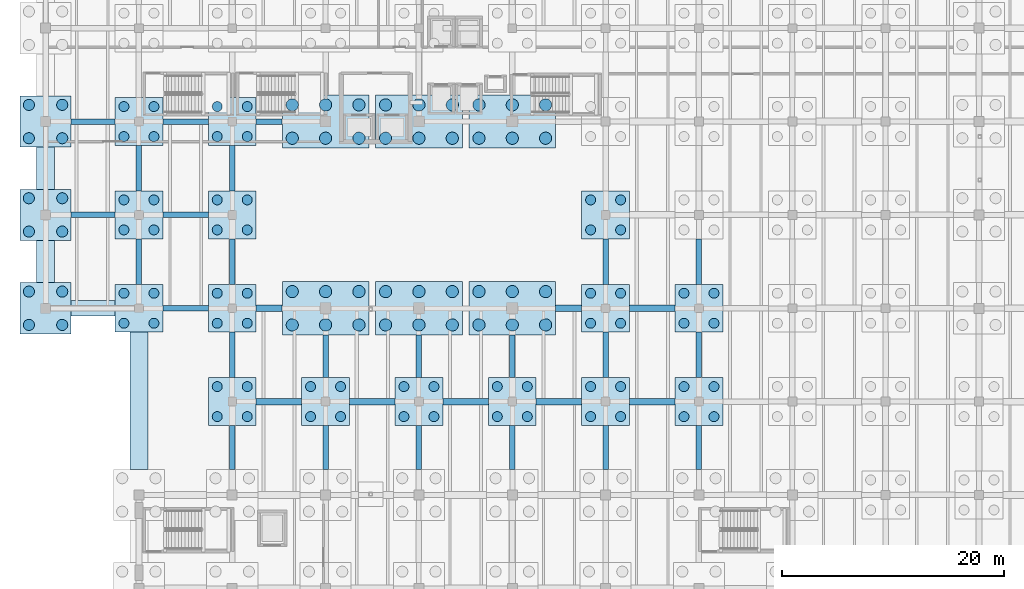
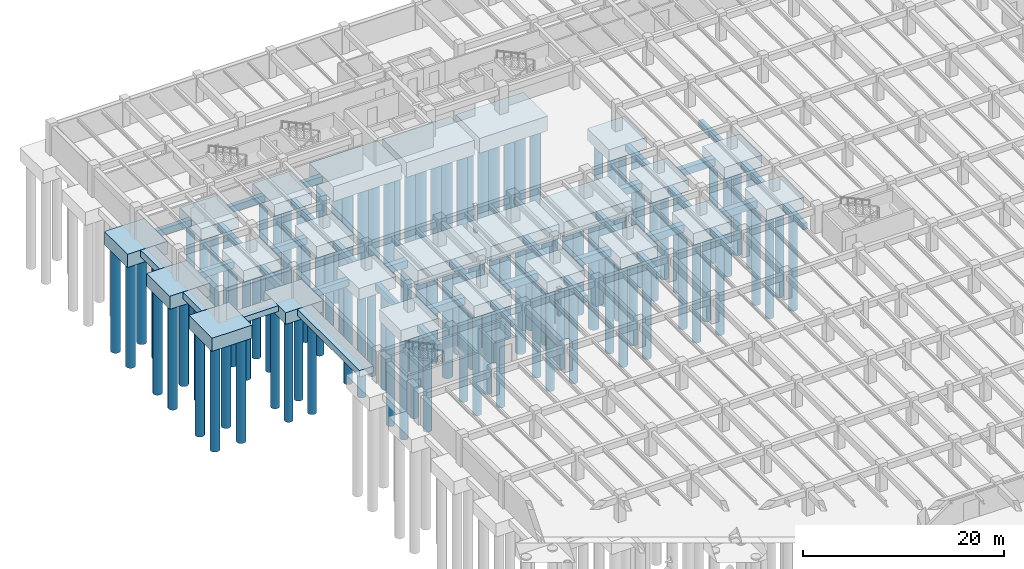
# One storey, part 6 of 70: 108 piles, 60 footings.
"""IFC4 building model written with IfcOpenShell, lengths in metres."""

import ifcopenshell
import ifcopenshell.guid

model = None  # the IFC model being written
_history = None  # IfcOwnerHistory: only IFC2X3 demands one
_inside = {}  # id of a spatial element -> (the spatial element, [elements in it])
_under = {}  # id of a project, library or spatial element -> (it, [spatial elements below it])
_declared = {}  # id of a project -> (the project, [libraries it declares])
_typed = {}  # id of a type object -> (the type object, [elements of that type])
_made_of = {}  # id of a material, layer set ... -> (it, [elements and type objects made of it])


def new_model(schema):
    """Start an empty IFC model of exactly this schema.

    Asked for "IFC4X3", IfcOpenShell would pick the latest addendum, in which some entities
    have other attributes; the version numbers below select the first issue.
    IFC2X3 requires an IfcOwnerHistory on every rooted entity: one is made here for all.
    """
    global model, _history
    if schema == "IFC4X3":
        model = ifcopenshell.file(schema_version=(4, 3, 0, 0))
    else:
        model = ifcopenshell.file(schema=schema)
    _inside.clear()
    _under.clear()
    _declared.clear()
    _typed.clear()
    _made_of.clear()
    _history = None
    if model.schema == "IFC2X3":
        org = make("IfcOrganization", Name="unknown")
        user = make(
            "IfcPersonAndOrganization",
            ThePerson=make("IfcPerson", FamilyName="unknown"),
            TheOrganization=org,
        )
        app = make(
            "IfcApplication",
            ApplicationDeveloper=org,
            Version="unknown",
            ApplicationFullName="unknown",
            ApplicationIdentifier="unknown",
        )
        _history = make(
            "IfcOwnerHistory",
            OwningUser=user,
            OwningApplication=app,
            ChangeAction="ADDED",
            CreationDate=0,
        )
    return model


def make(cls, **values):
    """One entity of the class cls with the attributes given. An attribute that is None is left unset."""
    return model.create_entity(
        cls, **{name: value for name, value in values.items() if value is not None}
    )


def rooted(cls, **values):
    """An entity with a GlobalId (a new one), such as an element, a storey or a relation."""
    return make(cls, GlobalId=ifcopenshell.guid.new(), OwnerHistory=_history, **values)


def si_unit(unit_type, name, prefix=None):
    """IfcSIUnit, for example si_unit("LENGTHUNIT", "METRE", prefix="MILLI")."""
    return make("IfcSIUnit", UnitType=unit_type, Prefix=prefix, Name=name)


def assignment(units):
    """IfcUnitAssignment: the units of a project."""
    return None if units is None else make("IfcUnitAssignment", Units=units)


def point(xyz):
    """IfcCartesianPoint."""
    return None if xyz is None else make("IfcCartesianPoint", Coordinates=xyz)


def direction(xyz):
    """IfcDirection."""
    return None if xyz is None else make("IfcDirection", DirectionRatios=xyz)


def frame(location, z_axis=None, x_axis=None):
    """IfcAxis2Placement3D, a coordinate frame: its origin and axes. An axis left out is left unset."""
    return make(
        "IfcAxis2Placement3D",
        Location=point(location),
        Axis=direction(z_axis),
        RefDirection=direction(x_axis),
    )


def frame_2d(location, x_axis=None):
    """IfcAxis2Placement2D, a coordinate frame in the plane: its origin and x axis."""
    return make(
        "IfcAxis2Placement2D", Location=point(location), RefDirection=direction(x_axis)
    )


def origin():
    """The frame at (0, 0, 0) with its axes left unset."""
    return frame((0.0, 0.0, 0.0))


def origin_2d():
    """The frame at (0, 0) in the plane with its x axis left unset."""
    return frame_2d((0.0, 0.0))


def place(relative_to, where):
    """IfcLocalPlacement: puts the frame where relative to a parent placement (None: the world)."""
    return make(
        "IfcLocalPlacement", PlacementRelTo=relative_to, RelativePlacement=where
    )


def context(
    kind, dimensions, precision=None, world=None, true_north=None, identifier=None
):
    """IfcGeometricRepresentationContext, for example the 3D "Model" context."""
    return make(
        "IfcGeometricRepresentationContext",
        ContextIdentifier=identifier,
        ContextType=kind,
        CoordinateSpaceDimension=dimensions,
        Precision=precision,
        WorldCoordinateSystem=world,
        TrueNorth=true_north,
    )


def subcontext(parent, identifier, kind, view, scale=None):
    """IfcGeometricRepresentationSubContext, for example "Body" below "Model"."""
    return make(
        "IfcGeometricRepresentationSubContext",
        ContextIdentifier=identifier,
        ContextType=kind,
        ParentContext=parent,
        TargetScale=scale,
        TargetView=view,
    )


def project(units=None, contexts=None):
    """IfcProject with its units and contexts."""
    return rooted(
        "IfcProject",
        Name="project",
        RepresentationContexts=contexts,
        UnitsInContext=assignment(units),
    )


def spatial(cls, under=None, at=None, **own):
    """A site, building, storey or space (cls), placed at a placement, below another one or the project."""
    s = rooted(cls, ObjectPlacement=at, **own)
    if under is not None:
        _under.setdefault(under.id(), (under, []))[1].append(s)
    return s


def profile(cls, at=None, kind="AREA", **sizes):
    """A parametric profile (cls). Its sizes go by their IFC names, for example OverallWidth=200.0."""
    return make(cls, ProfileType=kind, Position=at, **sizes)


def rectangle(**sizes):
    """IfcRectangleProfileDef."""
    return profile("IfcRectangleProfileDef", **sizes)


def circle(**sizes):
    """IfcCircleProfileDef."""
    return profile("IfcCircleProfileDef", **sizes)


def extrude(swept, where, along, depth):
    """IfcExtrudedAreaSolid: the profile swept, set in the frame where, extruded along a direction by depth."""
    return make(
        "IfcExtrudedAreaSolid",
        SweptArea=swept,
        Position=where,
        ExtrudedDirection=direction(along),
        Depth=depth,
    )


def shape(context_of_items, identifier, shape_type, items):
    """IfcShapeRepresentation: the items that make up one representation, for example the "Body"."""
    return make(
        "IfcShapeRepresentation",
        ContextOfItems=context_of_items,
        RepresentationIdentifier=identifier,
        RepresentationType=shape_type,
        Items=items,
    )


def material(Name=None, Category=None):
    """IfcMaterial."""
    return make("IfcMaterial", Name=Name, Category=Category)


def material_profile(
    of_material, cross_section, Name=None, Category=None, Priority=None
):
    """IfcMaterialProfile: a cross section and its material."""
    return make(
        "IfcMaterialProfile",
        Name=Name,
        Material=of_material,
        Profile=cross_section,
        Priority=Priority,
        Category=Category,
    )


def profile_set(profiles, Name=None, composite=None):
    """IfcMaterialProfileSet."""
    return make(
        "IfcMaterialProfileSet",
        Name=Name,
        MaterialProfiles=profiles,
        CompositeProfile=composite,
    )


def made_of(thing, what):
    """Note that an element or type object is made of a material, layer set ...; save() writes the relation."""
    if what is not None:
        _made_of.setdefault(what.id(), (what, []))[1].append(thing)
    return thing


def type_object(cls, material=None, **own):
    """A type object (cls), such as IfcWallType, which elements share."""
    return made_of(rooted(cls, **own), material)


def element(
    cls,
    number,
    at=None,
    inside=None,
    cuts=None,
    type_object=None,
    material=None,
    context=None,
    identifier="Body",
    shape_type=None,
    held_by="IfcProductDefinitionShape",
    body=None,
    shapes=None,
    **own,
):
    """One element of the class cls, such as IfcWall. Its Tag is "e" and its number.

    at: its placement. inside: the storey or other place that contains it. cuts: it is an
    opening in that element (IfcRelVoidsElement). A single representation is given by context,
    identifier, shape_type and body (its items); several are given by shapes. held_by: the class
    of the entity that holds the representations. save() writes the other relations.
    """
    e = rooted(cls, Tag="e%d" % number, ObjectPlacement=at, **own)
    if body is not None:
        shapes = [shape(context, identifier, shape_type, body)]
    if shapes is not None:
        e.Representation = make(held_by, Representations=shapes)
    if inside is not None:
        _inside.setdefault(inside.id(), (inside, []))[1].append(e)
    if cuts is not None:
        rooted(
            "IfcRelVoidsElement", RelatingBuildingElement=cuts, RelatedOpeningElement=e
        )
    if type_object is not None:
        _typed.setdefault(type_object.id(), (type_object, []))[1].append(e)
    return made_of(e, material)


def aggregate(whole, parts):
    """IfcRelAggregates: a whole, such as a stair, and the parts it consists of."""
    return rooted("IfcRelAggregates", RelatingObject=whole, RelatedObjects=parts)


def save(model, path):
    """Write the relations noted so far, then the file.

    IfcRelAggregates (storeys below a building ...), IfcRelContainedInSpatialStructure (elements
    in a storey), IfcRelDefinesByType, IfcRelAssociatesMaterial and IfcRelDeclares: one each for
    every whole, place, type object, material and project.
    """
    for whole, parts in _under.values():
        aggregate(whole, parts)
    for where, things in _inside.values():
        rooted(
            "IfcRelContainedInSpatialStructure",
            RelatedElements=things,
            RelatingStructure=where,
        )
    for kind, things in _typed.values():
        rooted("IfcRelDefinesByType", RelatedObjects=things, RelatingType=kind)
    for what, things in _made_of.values():
        rooted("IfcRelAssociatesMaterial", RelatedObjects=things, RelatingMaterial=what)
    for by, libraries in _declared.values():
        rooted("IfcRelDeclares", RelatingContext=by, RelatedDefinitions=libraries)
    model.write(path)


model = new_model("IFC4")

# Units and contexts
model_context = context("Model", 3, precision=1e-05, world=origin(), true_north=direction((0.0, 1.0)))
body_context = subcontext(model_context, "Body", "Model", "MODEL_VIEW")
ifc_project = project(units=[si_unit("LENGTHUNIT", "METRE"), si_unit("AREAUNIT", "SQUARE_METRE"), si_unit("VOLUMEUNIT", "CUBIC_METRE"), si_unit("PLANEANGLEUNIT", "RADIAN"), si_unit("MASSUNIT", "GRAM", prefix="KILO")], contexts=[model_context])

# Site, building, storey
site_placement = place(None, origin())
site = spatial("IfcSite", under=ifc_project, at=site_placement, CompositionType="ELEMENT")
building_placement = place(site_placement, origin())
building = spatial("IfcBuilding", under=site, at=building_placement, Name="Cumbredor Promenade Congress Hotel", CompositionType="ELEMENT")
storey_placement = place(building_placement, frame((0.0, 0.0, -7.56005859375)))
storey = spatial("IfcBuildingStorey", under=building, at=storey_placement, Name="B02", CompositionType="ELEMENT", Elevation=-7.56005859375)

# Piles
ifc_material = material(Name="Concrete C40/50", Category="concrete")
ifc_material_profile_1 = material_profile(ifc_material, circle(Radius=0.449951171875, at=origin_2d()), Name="PILE D900")
ifc_profile_set_1 = profile_set([ifc_material_profile_1], Name="Concrete C40/50")
pile_type_1 = type_object("IfcPileType", Name="Bored Concrete Pile BP-02 900mm", PredefinedType="BORED", material=ifc_profile_set_1)
for number, where, z_axis, x_axis, name in (
    (1, (7.050048828125, 82.64990234375, -1.75), (0.0, 0.0, -1.0), (1.0, 0.0, 0.0), "Bored Pile PC-02-014.1"),
    (2, (9.75, 82.64990234375, -1.75), (0.0, 0.0, -1.0), (1.0, 0.0, 0.0), "Bored Pile PC-02-014.2"),
    (3, (7.050048828125, 85.35009765625, -1.75), (0.0, 0.0, -1.0), (1.0, 0.0, 0.0), "Bored Pile PC-02-014.3"),
    (4, (9.75, 85.35009765625, -1.75), (0.0, 0.0, -1.0), (1.0, 0.0, 0.0), "Bored Pile PC-02-014.4"),
    (5, (7.050048828125, 91.050048828125, -1.75), (0.0, 0.0, -1.0), (1.0, 0.0, 0.0), "Bored Pile PC-02-015.1"),
    (6, (9.75, 91.050048828125, -1.75), (0.0, 0.0, -1.0), (1.0, 0.0, 0.0), "Bored Pile PC-02-015.2"),
    (7, (7.050048828125, 93.75, -1.75), (0.0, 0.0, -1.0), (1.0, 0.0, 0.0), "Bored Pile PC-02-015.3"),
    (8, (9.75, 93.75, -1.75), (0.0, 0.0, -1.0), (1.0, 0.0, 0.0), "Bored Pile PC-02-015.4"),
    (9, (7.050048828125, 99.449951171875, -1.75), (0.0, 0.0, -1.0), (1.0, 0.0, 0.0), "Bored Pile PC-02-016.1"),
    (10, (9.75, 99.449951171875, -1.75), (0.0, 0.0, -1.0), (1.0, 0.0, 0.0), "Bored Pile PC-02-016.2"),
    (11, (7.050048828125, 102.14990234375, -1.75), (0.0, 0.0, -1.0), (1.0, 0.0, 0.0), "Bored Pile PC-02-016.3"),
    (12, (9.75, 102.14990234375, -1.75), (0.0, 0.0, -1.0), (1.0, 0.0, 0.0), "Bored Pile PC-02-016.4"),
    (13, (15.449951171875, 74.25, -1.75), (0.0, 0.0, -1.0), (1.0, 0.0, 0.0), "Bored Pile PC-02-027.1"),
    (14, (18.14990234375, 74.25, -1.75), (0.0, 0.0, -1.0), (1.0, 0.0, 0.0), "Bored Pile PC-02-027.2"),
    (15, (15.449951171875, 76.949951171875, -1.75), (0.0, 0.0, -1.0), (1.0, 0.0, 0.0), "Bored Pile PC-02-027.3"),
    (16, (18.14990234375, 76.949951171875, -1.75), (0.0, 0.0, -1.0), (1.0, 0.0, 0.0), "Bored Pile PC-02-027.4"),
    (17, (15.449951171875, 82.64990234375, -1.75), (0.0, 0.0, -1.0), (1.0, 0.0, 0.0), "Bored Pile PC-02-028.1"),
    (18, (18.14990234375, 82.64990234375, -1.75), (0.0, 0.0, -1.0), (1.0, 0.0, 0.0), "Bored Pile PC-02-028.2"),
    (19, (15.449951171875, 85.35009765625, -1.75), (0.0, 0.0, -1.0), (1.0, 0.0, 0.0), "Bored Pile PC-02-028.3"),
    (20, (18.14990234375, 85.35009765625, -1.75), (0.0, 0.0, -1.0), (1.0, 0.0, 0.0), "Bored Pile PC-02-028.4"),
    (21, (15.449951171875, 91.050048828125, -1.75), (0.0, 0.0, -1.0), (1.0, 0.0, 0.0), "Bored Pile PC-02-029.1"),
    (22, (18.14990234375, 91.050048828125, -1.75), (0.0, 0.0, -1.0), (1.0, 0.0, 0.0), "Bored Pile PC-02-029.2"),
    (23, (15.449951171875, 93.75, -1.75), (0.0, 0.0, -1.0), (1.0, 0.0, 0.0), "Bored Pile PC-02-029.3"),
    (24, (18.14990234375, 93.75, -1.75), (0.0, 0.0, -1.0), (1.0, 0.0, 0.0), "Bored Pile PC-02-029.4"),
    (25, (15.449951171875, 99.449951171875, -1.75), (0.0, 0.0, -1.0), (1.0, 0.0, 0.0), "Bored Pile PC-02-030.1"),
    (26, (18.14990234375, 99.449951171875, -1.75), (0.0, 0.0, -1.0), (1.0, 0.0, 0.0), "Bored Pile PC-02-030.2"),
    (27, (15.449951171875, 102.14990234375, -1.75), (0.0, 0.0, -1.0), (1.0, 0.0, 0.0), "Bored Pile PC-02-030.3"),
    (28, (18.14990234375, 102.14990234375, -1.75), (0.0, 0.0, -1.0), (1.0, 0.0, 0.0), "Bored Pile PC-02-030.4"),
    (29, (23.85009765625, 74.25, -1.75), (0.0, 0.0, -1.0), (1.0, 0.0, 0.0), "Bored Pile PC-02-041.1"),
    (30, (26.550048828125, 74.25, -1.75), (0.0, 0.0, -1.0), (1.0, 0.0, 0.0), "Bored Pile PC-02-041.2"),
    (31, (23.85009765625, 76.949951171875, -1.75), (0.0, 0.0, -1.0), (1.0, 0.0, 0.0), "Bored Pile PC-02-041.3"),
    (32, (26.550048828125, 76.949951171875, -1.75), (0.0, 0.0, -1.0), (1.0, 0.0, 0.0), "Bored Pile PC-02-041.4"),
    (33, (32.25, 74.25, -1.75), (0.0, 0.0, -1.0), (1.0, 0.0, 0.0), "Bored Pile PC-02-054.1"),
    (34, (34.949951171875, 74.25, -1.75), (0.0, 0.0, -1.0), (1.0, 0.0, 0.0), "Bored Pile PC-02-054.2"),
    (35, (32.25, 76.949951171875, -1.75), (0.0, 0.0, -1.0), (1.0, 0.0, 0.0), "Bored Pile PC-02-054.3"),
    (36, (34.949951171875, 76.949951171875, -1.75), (0.0, 0.0, -1.0), (1.0, 0.0, 0.0), "Bored Pile PC-02-054.4"),
    (37, (40.64990234375, 74.25, -1.75), (0.0, 0.0, -1.0), (1.0, 0.0, 0.0), "Bored Pile PC-02-067.1"),
    (38, (43.35009765625, 74.25, -1.75), (0.0, 0.0, -1.0), (1.0, 0.0, 0.0), "Bored Pile PC-02-067.2"),
    (39, (40.64990234375, 76.949951171875, -1.75), (0.0, 0.0, -1.0), (1.0, 0.0, 0.0), "Bored Pile PC-02-067.3"),
    (40, (43.35009765625, 76.949951171875, -1.75), (0.0, 0.0, -1.0), (1.0, 0.0, 0.0), "Bored Pile PC-02-067.4"),
    (41, (49.050048828125, 74.25, -1.75), (0.0, 0.0, -1.0), (1.0, 0.0, 0.0), "Bored Pile PC-02-080.1"),
    (42, (51.75, 74.25, -1.75), (0.0, 0.0, -1.0), (1.0, 0.0, 0.0), "Bored Pile PC-02-080.2"),
    (43, (49.050048828125, 76.949951171875, -1.75), (0.0, 0.0, -1.0), (1.0, 0.0, 0.0), "Bored Pile PC-02-080.3"),
    (44, (51.75, 76.949951171875, -1.75), (0.0, 0.0, -1.0), (1.0, 0.0, 0.0), "Bored Pile PC-02-080.4"),
    (45, (49.050048828125, 82.64990234375, -1.75), (0.0, 0.0, -1.0), (1.0, 0.0, 0.0), "Bored Pile PC-02-081.1"),
    (46, (51.75, 82.64990234375, -1.75), (0.0, 0.0, -1.0), (1.0, 0.0, 0.0), "Bored Pile PC-02-081.2"),
    (47, (49.050048828125, 85.35009765625, -1.75), (0.0, 0.0, -1.0), (1.0, 0.0, 0.0), "Bored Pile PC-02-081.3"),
    (48, (51.75, 85.35009765625, -1.75), (0.0, 0.0, -1.0), (1.0, 0.0, 0.0), "Bored Pile PC-02-081.4"),
    (49, (49.050048828125, 91.050048828125, -1.75), (0.0, 0.0, -1.0), (1.0, 0.0, 0.0), "Bored Pile PC-02-082.1"),
    (50, (51.75, 91.050048828125, -1.75), (0.0, 0.0, -1.0), (1.0, 0.0, 0.0), "Bored Pile PC-02-082.2"),
    (51, (49.050048828125, 93.75, -1.75), (0.0, 0.0, -1.0), (1.0, 0.0, 0.0), "Bored Pile PC-02-082.3"),
    (52, (51.75, 93.75, -1.75), (0.0, 0.0, -1.0), (1.0, 0.0, 0.0), "Bored Pile PC-02-082.4"),
    (53, (57.449951171875, 74.25, -1.75), (0.0, 0.0, -1.0), (1.0, 0.0, 0.0), "Bored Pile PC-02-094.1"),
    (54, (60.14990234375, 74.25, -1.75), (0.0, 0.0, -1.0), (1.0, 0.0, 0.0), "Bored Pile PC-02-094.2"),
    (55, (57.449951171875, 76.949951171875, -1.75), (0.0, 0.0, -1.0), (1.0, 0.0, 0.0), "Bored Pile PC-02-094.3"),
    (56, (60.14990234375, 76.949951171875, -1.75), (0.0, 0.0, -1.0), (1.0, 0.0, 0.0), "Bored Pile PC-02-094.4"),
    (57, (57.449951171875, 82.64990234375, -1.75), (0.0, 0.0, -1.0), (1.0, 0.0, 0.0), "Bored Pile PC-02-095.1"),
    (58, (60.14990234375, 82.64990234375, -1.75), (0.0, 0.0, -1.0), (1.0, 0.0, 0.0), "Bored Pile PC-02-095.2"),
    (59, (57.449951171875, 85.35009765625, -1.75), (0.0, 0.0, -1.0), (1.0, 0.0, 0.0), "Bored Pile PC-02-095.3"),
    (60, (60.14990234375, 85.35009765625, -1.75), (0.0, 0.0, -1.0), (1.0, 0.0, 0.0), "Bored Pile PC-02-095.4"),
):
    element("IfcPile", number, at=place(storey_placement, frame(where, z_axis=z_axis, x_axis=x_axis)), inside=storey, type_object=pile_type_1, Name=name, PredefinedType="BORED", context=body_context, shape_type="SweptSolid", body=[
        extrude(circle(Radius=0.449951171875, at=origin_2d()), origin(), (0.0, 0.0, 1.0), 12.5),
    ])
ifc_material_profile_2 = material_profile(ifc_material, circle(Radius=0.5, at=origin_2d()), Name="PILE D1000")
ifc_profile_set_2 = profile_set([ifc_material_profile_2], Name="Concrete C40/50")
pile_type_2 = type_object("IfcPileType", Name="Bored Concrete Pile BP-03 1000mm", PredefinedType="BORED", material=ifc_profile_set_2)
for number, where, z_axis, x_axis, name in (
    (61, (-1.5, 82.5, -1.949951171875), (0.0, 0.0, -1.0), (1.0, 0.0, 0.0), "Bored Pile PC-03-001.1"),
    (62, (1.5, 82.5, -1.949951171875), (0.0, 0.0, -1.0), (1.0, 0.0, 0.0), "Bored Pile PC-03-001.2"),
    (63, (-1.5, 85.5, -1.949951171875), (0.0, 0.0, -1.0), (1.0, 0.0, 0.0), "Bored Pile PC-03-001.3"),
    (64, (1.5, 85.5, -1.949951171875), (0.0, 0.0, -1.0), (1.0, 0.0, 0.0), "Bored Pile PC-03-001.4"),
    (65, (-1.5, 90.89990234375, -1.949951171875), (0.0, 0.0, -1.0), (1.0, 0.0, 0.0), "Bored Pile PC-03-002.1"),
    (66, (1.5, 90.89990234375, -1.949951171875), (0.0, 0.0, -1.0), (1.0, 0.0, 0.0), "Bored Pile PC-03-002.2"),
    (67, (-1.5, 93.89990234375, -1.949951171875), (0.0, 0.0, -1.0), (1.0, 0.0, 0.0), "Bored Pile PC-03-002.3"),
    (68, (1.5, 93.89990234375, -1.949951171875), (0.0, 0.0, -1.0), (1.0, 0.0, 0.0), "Bored Pile PC-03-002.4"),
    (69, (-1.5, 99.300048828125, -1.949951171875), (0.0, 0.0, -1.0), (1.0, 0.0, 0.0), "Bored Pile PC-03-003.1"),
    (70, (1.5, 99.300048828125, -1.949951171875), (0.0, 0.0, -1.0), (1.0, 0.0, 0.0), "Bored Pile PC-03-003.2"),
    (71, (-1.5, 102.300048828125, -1.949951171875), (0.0, 0.0, -1.0), (1.0, 0.0, 0.0), "Bored Pile PC-03-003.3"),
    (72, (1.5, 102.300048828125, -1.949951171875), (0.0, 0.0, -1.0), (1.0, 0.0, 0.0), "Bored Pile PC-03-003.4"),
):
    element("IfcPile", number, at=place(storey_placement, frame(where, z_axis=z_axis, x_axis=x_axis)), inside=storey, type_object=pile_type_2, Name=name, PredefinedType="BORED", context=body_context, shape_type="SweptSolid", body=[
        extrude(circle(Radius=0.5, at=origin_2d()), origin(), (0.0, 0.0, 1.0), 12.800048828125),
    ])
ifc_material_profile_3 = material_profile(ifc_material, circle(Radius=0.550048828125, at=origin_2d()), Name="PILE D1100")
ifc_profile_set_3 = profile_set([ifc_material_profile_3], Name="Concrete C40/50")
pile_type_3 = type_object("IfcPileType", Name="Bored Concrete Pile BP-04 1100mm", PredefinedType="BORED", material=ifc_profile_set_3)
for number, where, z_axis, x_axis, name in (
    (73, (22.199951171875, 82.5, -2.14990234375), (0.0, 0.0, -1.0), (1.0, 0.0, 0.0), "Bored Pile PC-04-042.1"),
    (74, (25.199951171875, 82.5, -2.14990234375), (0.0, 0.0, -1.0), (1.0, 0.0, 0.0), "Bored Pile PC-04-042.2"),
    (75, (28.199951171875, 82.5, -2.14990234375), (0.0, 0.0, -1.0), (1.0, 0.0, 0.0), "Bored Pile PC-04-042.3"),
    (76, (22.199951171875, 85.5, -2.14990234375), (0.0, 0.0, -1.0), (1.0, 0.0, 0.0), "Bored Pile PC-04-042.4"),
    (77, (25.199951171875, 85.5, -2.14990234375), (0.0, 0.0, -1.0), (1.0, 0.0, 0.0), "Bored Pile PC-04-042.5"),
    (78, (28.199951171875, 85.5, -2.14990234375), (0.0, 0.0, -1.0), (1.0, 0.0, 0.0), "Bored Pile PC-04-042.6"),
    (79, (22.199951171875, 99.300048828125, -2.14990234375), (0.0, 0.0, -1.0), (1.0, 0.0, 0.0), "Bored Pile PC-04-043.1"),
    (80, (25.199951171875, 99.300048828125, -2.14990234375), (0.0, 0.0, -1.0), (1.0, 0.0, 0.0), "Bored Pile PC-04-043.2"),
    (81, (28.199951171875, 99.300048828125, -2.14990234375), (0.0, 0.0, -1.0), (1.0, 0.0, 0.0), "Bored Pile PC-04-043.3"),
    (82, (22.199951171875, 102.300048828125, -2.14990234375), (0.0, 0.0, -1.0), (1.0, 0.0, 0.0), "Bored Pile PC-04-043.4"),
    (83, (25.199951171875, 102.300048828125, -2.14990234375), (0.0, 0.0, -1.0), (1.0, 0.0, 0.0), "Bored Pile PC-04-043.5"),
    (84, (28.199951171875, 102.300048828125, -2.14990234375), (0.0, 0.0, -1.0), (1.0, 0.0, 0.0), "Bored Pile PC-04-043.6"),
    (85, (30.60009765625, 82.5, -2.14990234375), (0.0, 0.0, -1.0), (1.0, 0.0, 0.0), "Bored Pile PC-04-055.1"),
    (86, (33.60009765625, 82.5, -2.14990234375), (0.0, 0.0, -1.0), (1.0, 0.0, 0.0), "Bored Pile PC-04-055.2"),
    (87, (36.60009765625, 82.5, -2.14990234375), (0.0, 0.0, -1.0), (1.0, 0.0, 0.0), "Bored Pile PC-04-055.3"),
    (88, (30.60009765625, 85.5, -2.14990234375), (0.0, 0.0, -1.0), (1.0, 0.0, 0.0), "Bored Pile PC-04-055.4"),
    (89, (33.60009765625, 85.5, -2.14990234375), (0.0, 0.0, -1.0), (1.0, 0.0, 0.0), "Bored Pile PC-04-055.5"),
    (90, (36.60009765625, 85.5, -2.14990234375), (0.0, 0.0, -1.0), (1.0, 0.0, 0.0), "Bored Pile PC-04-055.6"),
    (91, (30.60009765625, 99.300048828125, -2.14990234375), (0.0, 0.0, -1.0), (1.0, 0.0, 0.0), "Bored Pile PC-04-056.1"),
    (92, (33.60009765625, 99.300048828125, -2.14990234375), (0.0, 0.0, -1.0), (1.0, 0.0, 0.0), "Bored Pile PC-04-056.2"),
    (93, (36.60009765625, 99.300048828125, -2.14990234375), (0.0, 0.0, -1.0), (1.0, 0.0, 0.0), "Bored Pile PC-04-056.3"),
    (94, (30.60009765625, 102.300048828125, -2.14990234375), (0.0, 0.0, -1.0), (1.0, 0.0, 0.0), "Bored Pile PC-04-056.4"),
    (95, (33.60009765625, 102.300048828125, -2.14990234375), (0.0, 0.0, -1.0), (1.0, 0.0, 0.0), "Bored Pile PC-04-056.5"),
    (96, (36.60009765625, 102.300048828125, -2.14990234375), (0.0, 0.0, -1.0), (1.0, 0.0, 0.0), "Bored Pile PC-04-056.6"),
    (97, (39.0, 82.5, -2.14990234375), (0.0, 0.0, -1.0), (1.0, 0.0, 0.0), "Bored Pile PC-04-068.1"),
    (98, (42.0, 82.5, -2.14990234375), (0.0, 0.0, -1.0), (1.0, 0.0, 0.0), "Bored Pile PC-04-068.2"),
    (99, (45.0, 82.5, -2.14990234375), (0.0, 0.0, -1.0), (1.0, 0.0, 0.0), "Bored Pile PC-04-068.3"),
    (100, (39.0, 85.5, -2.14990234375), (0.0, 0.0, -1.0), (1.0, 0.0, 0.0), "Bored Pile PC-04-068.4"),
    (101, (42.0, 85.5, -2.14990234375), (0.0, 0.0, -1.0), (1.0, 0.0, 0.0), "Bored Pile PC-04-068.5"),
    (102, (45.0, 85.5, -2.14990234375), (0.0, 0.0, -1.0), (1.0, 0.0, 0.0), "Bored Pile PC-04-068.6"),
    (103, (39.0, 99.300048828125, -2.14990234375), (0.0, 0.0, -1.0), (1.0, 0.0, 0.0), "Bored Pile PC-04-069.1"),
    (104, (42.0, 99.300048828125, -2.14990234375), (0.0, 0.0, -1.0), (1.0, 0.0, 0.0), "Bored Pile PC-04-069.2"),
    (105, (45.0, 99.300048828125, -2.14990234375), (0.0, 0.0, -1.0), (1.0, 0.0, 0.0), "Bored Pile PC-04-069.3"),
    (106, (39.0, 102.300048828125, -2.14990234375), (0.0, 0.0, -1.0), (1.0, 0.0, 0.0), "Bored Pile PC-04-069.4"),
    (107, (42.0, 102.300048828125, -2.14990234375), (0.0, 0.0, -1.0), (1.0, 0.0, 0.0), "Bored Pile PC-04-069.5"),
    (108, (45.0, 102.300048828125, -2.14990234375), (0.0, 0.0, -1.0), (1.0, 0.0, 0.0), "Bored Pile PC-04-069.6"),
):
    element("IfcPile", number, at=place(storey_placement, frame(where, z_axis=z_axis, x_axis=x_axis)), inside=storey, type_object=pile_type_3, Name=name, PredefinedType="BORED", context=body_context, shape_type="SweptSolid", body=[
        extrude(circle(Radius=0.550048828125, at=origin_2d()), origin(), (0.0, 0.0, 1.0), 13.0),
    ])

# Footings
ifc_material_profile_4 = material_profile(ifc_material, rectangle(XDim=0.5, YDim=0.800048828125, at=origin_2d()), Name="FB 500x800")
ifc_profile_set_4 = profile_set([ifc_material_profile_4], Name="Concrete C40/50")
footing_type_1 = type_object("IfcFootingType", Name="Concrete Footing Tie Beam FB-01 500x800", PredefinedType="FOOTING_BEAM", material=ifc_profile_set_4)
for number, where, z_axis, x_axis, name in (
    (109, (2.302001953125, 92.39990234375, -0.89990234375), (1.0, 0.0, 0.0), (0.0, 1.0, 0.0), "Seismic Footing Tie Beam FB-003"),
    (110, (2.302001953125, 100.800048828125, -0.89990234375), (1.0, 0.0, 0.0), (0.0, 1.0, 0.0), "Seismic Footing Tie Beam FB-005"),
):
    element("IfcFooting", number, at=place(storey_placement, frame(where, z_axis=z_axis, x_axis=x_axis)), inside=storey, type_object=footing_type_1, Name=name, PredefinedType="FOOTING_BEAM", context=body_context, shape_type="SweptSolid", body=[
        extrude(rectangle(XDim=0.5, YDim=0.800048828125, at=origin_2d()), origin(), (0.0, 0.0, 1.0), 3.946044921875),
    ])
for number, where, z_axis, x_axis, name in (
    (111, (10.552001953125, 84.0, -0.89990234375), (1.0, 0.0, 0.0), (0.0, 1.0, 0.0), "Seismic Footing Tie Beam FB-025"),
    (112, (8.39990234375, 86.152099609375, -0.89990234375), (0.0, 1.0, 0.0), (-1.0, 0.0, 0.0), "Seismic Footing Tie Beam FB-026"),
    (113, (10.552001953125, 92.39990234375, -0.89990234375), (1.0, 0.0, 0.0), (0.0, 1.0, 0.0), "Seismic Footing Tie Beam FB-027"),
    (114, (8.39990234375, 94.552001953125, -0.89990234375), (0.0, 1.0, 0.0), (-1.0, 0.0, 0.0), "Seismic Footing Tie Beam FB-028"),
    (115, (10.552001953125, 100.800048828125, -0.89990234375), (1.0, 0.0, 0.0), (0.0, 1.0, 0.0), "Seismic Footing Tie Beam FB-029"),
):
    element("IfcFooting", number, at=place(storey_placement, frame(where, z_axis=z_axis, x_axis=x_axis)), inside=storey, type_object=footing_type_1, Name=name, PredefinedType="FOOTING_BEAM", context=body_context, shape_type="SweptSolid", body=[
        extrude(rectangle(XDim=0.5, YDim=0.800048828125, at=origin_2d()), origin(), (0.0, 0.0, 1.0), 4.095947265625),
    ])
footing_1_placement = place(storey_placement, frame((16.800048828125, 69.501953125, -0.89990234375), z_axis=(0.0, 1.0, 0.0), x_axis=(-1.0, 0.0, 0.0)))
element("IfcFooting", 116, at=footing_1_placement, inside=storey, type_object=footing_type_1, Name="Seismic Footing Tie Beam FB-049", PredefinedType="FOOTING_BEAM", context=body_context, shape_type="SweptSolid", body=[
    extrude(rectangle(XDim=0.5, YDim=0.800048828125, at=origin_2d()), origin(), (0.0, 0.0, 1.0), 3.946044921875),
])
for number, where, z_axis, x_axis, name in (
    (117, (16.800048828125, 77.751953125, -0.89990234375), (0.0, 1.0, 0.0), (-1.0, 0.0, 0.0), "Seismic Footing Tie Beam FB-051"),
    (118, (16.800048828125, 86.152099609375, -0.89990234375), (0.0, 1.0, 0.0), (-1.0, 0.0, 0.0), "Seismic Footing Tie Beam FB-053"),
    (119, (16.800048828125, 94.552001953125, -0.89990234375), (0.0, 1.0, 0.0), (-1.0, 0.0, 0.0), "Seismic Footing Tie Beam FB-054"),
):
    element("IfcFooting", number, at=place(storey_placement, frame(where, z_axis=z_axis, x_axis=x_axis)), inside=storey, type_object=footing_type_1, Name=name, PredefinedType="FOOTING_BEAM", context=body_context, shape_type="SweptSolid", body=[
        extrude(rectangle(XDim=0.5, YDim=0.800048828125, at=origin_2d()), origin(), (0.0, 0.0, 1.0), 4.095947265625),
    ])
footing_2_placement = place(storey_placement, frame((18.951904296875, 100.800048828125, -0.89990234375), z_axis=(1.0, 0.0, 0.0), x_axis=(0.0, 1.0, 0.0)))
element("IfcFooting", 120, at=footing_2_placement, inside=storey, type_object=footing_type_1, Name="Seismic Footing Tie Beam FB-055", PredefinedType="FOOTING_BEAM", context=body_context, shape_type="SweptSolid", body=[
    extrude(rectangle(XDim=0.5, YDim=0.800048828125, at=origin_2d()), origin(), (0.0, 0.0, 1.0), 2.34619140625),
])
footing_3_placement = place(storey_placement, frame((25.199951171875, 69.501953125, -0.89990234375), z_axis=(0.0, 1.0, 0.0), x_axis=(-1.0, 0.0, 0.0)))
element("IfcFooting", 121, at=footing_3_placement, inside=storey, type_object=footing_type_1, Name="Seismic Footing Tie Beam FB-075", PredefinedType="FOOTING_BEAM", context=body_context, shape_type="SweptSolid", body=[
    extrude(rectangle(XDim=0.5, YDim=0.800048828125, at=origin_2d()), origin(), (0.0, 0.0, 1.0), 3.946044921875),
])
footing_4_placement = place(storey_placement, frame((25.199951171875, 77.751953125, -0.89990234375), z_axis=(0.0, 1.0, 0.0), x_axis=(-1.0, 0.0, 0.0)))
element("IfcFooting", 122, at=footing_4_placement, inside=storey, type_object=footing_type_1, Name="Seismic Footing Tie Beam FB-077", PredefinedType="FOOTING_BEAM", context=body_context, shape_type="SweptSolid", body=[
    extrude(rectangle(XDim=0.5, YDim=0.800048828125, at=origin_2d()), origin(), (0.0, 0.0, 1.0), 3.845947265625),
])
footing_5_placement = place(storey_placement, frame((33.60009765625, 69.501953125, -0.89990234375), z_axis=(0.0, 1.0, 0.0), x_axis=(-1.0, 0.0, 0.0)))
element("IfcFooting", 123, at=footing_5_placement, inside=storey, type_object=footing_type_1, Name="Seismic Footing Tie Beam FB-097", PredefinedType="FOOTING_BEAM", context=body_context, shape_type="SweptSolid", body=[
    extrude(rectangle(XDim=0.5, YDim=0.800048828125, at=origin_2d()), origin(), (0.0, 0.0, 1.0), 3.946044921875),
])
footing_6_placement = place(storey_placement, frame((33.60009765625, 77.751953125, -0.89990234375), z_axis=(0.0, 1.0, 0.0), x_axis=(-1.0, 0.0, 0.0)))
element("IfcFooting", 124, at=footing_6_placement, inside=storey, type_object=footing_type_1, Name="Seismic Footing Tie Beam FB-099", PredefinedType="FOOTING_BEAM", context=body_context, shape_type="SweptSolid", body=[
    extrude(rectangle(XDim=0.5, YDim=0.800048828125, at=origin_2d()), origin(), (0.0, 0.0, 1.0), 3.845947265625),
])
footing_7_placement = place(storey_placement, frame((42.0, 69.501953125, -0.89990234375), z_axis=(0.0, 1.0, 0.0), x_axis=(-1.0, 0.0, 0.0)))
element("IfcFooting", 125, at=footing_7_placement, inside=storey, type_object=footing_type_1, Name="Seismic Footing Tie Beam FB-119", PredefinedType="FOOTING_BEAM", context=body_context, shape_type="SweptSolid", body=[
    extrude(rectangle(XDim=0.5, YDim=0.800048828125, at=origin_2d()), origin(), (0.0, 0.0, 1.0), 3.946044921875),
])
footing_8_placement = place(storey_placement, frame((42.0, 77.751953125, -0.89990234375), z_axis=(0.0, 1.0, 0.0), x_axis=(-1.0, 0.0, 0.0)))
element("IfcFooting", 126, at=footing_8_placement, inside=storey, type_object=footing_type_1, Name="Seismic Footing Tie Beam FB-121", PredefinedType="FOOTING_BEAM", context=body_context, shape_type="SweptSolid", body=[
    extrude(rectangle(XDim=0.5, YDim=0.800048828125, at=origin_2d()), origin(), (0.0, 0.0, 1.0), 3.845947265625),
])
footing_9_placement = place(storey_placement, frame((50.39990234375, 69.501953125, -0.89990234375), z_axis=(0.0, 1.0, 0.0), x_axis=(-1.0, 0.0, 0.0)))
element("IfcFooting", 127, at=footing_9_placement, inside=storey, type_object=footing_type_1, Name="Seismic Footing Tie Beam FB-143", PredefinedType="FOOTING_BEAM", context=body_context, shape_type="SweptSolid", body=[
    extrude(rectangle(XDim=0.5, YDim=0.800048828125, at=origin_2d()), origin(), (0.0, 0.0, 1.0), 3.946044921875),
])
for number, where, z_axis, x_axis, name in (
    (128, (50.39990234375, 77.751953125, -0.89990234375), (0.0, 1.0, 0.0), (-1.0, 0.0, 0.0), "Seismic Footing Tie Beam FB-145"),
    (129, (50.39990234375, 86.152099609375, -0.89990234375), (0.0, 1.0, 0.0), (-1.0, 0.0, 0.0), "Seismic Footing Tie Beam FB-147"),
):
    element("IfcFooting", number, at=place(storey_placement, frame(where, z_axis=z_axis, x_axis=x_axis)), inside=storey, type_object=footing_type_1, Name=name, PredefinedType="FOOTING_BEAM", context=body_context, shape_type="SweptSolid", body=[
        extrude(rectangle(XDim=0.5, YDim=0.800048828125, at=origin_2d()), origin(), (0.0, 0.0, 1.0), 4.095947265625),
    ])
footing_10_placement = place(storey_placement, frame((58.800048828125, 69.501953125, -0.89990234375), z_axis=(0.0, 1.0, 0.0), x_axis=(-1.0, 0.0, 0.0)))
element("IfcFooting", 130, at=footing_10_placement, inside=storey, type_object=footing_type_1, Name="Seismic Footing Tie Beam FB-170", PredefinedType="FOOTING_BEAM", context=body_context, shape_type="SweptSolid", body=[
    extrude(rectangle(XDim=0.5, YDim=0.800048828125, at=origin_2d()), origin(), (0.0, 0.0, 1.0), 3.946044921875),
])
for number, where, z_axis, x_axis, name in (
    (131, (58.800048828125, 77.751953125, -0.89990234375), (0.0, 1.0, 0.0), (-1.0, 0.0, 0.0), "Seismic Footing Tie Beam FB-172"),
    (132, (58.800048828125, 86.152099609375, -0.89990234375), (0.0, 1.0, 0.0), (-1.0, 0.0, 0.0), "Seismic Footing Tie Beam FB-174"),
):
    element("IfcFooting", number, at=place(storey_placement, frame(where, z_axis=z_axis, x_axis=x_axis)), inside=storey, type_object=footing_type_1, Name=name, PredefinedType="FOOTING_BEAM", context=body_context, shape_type="SweptSolid", body=[
        extrude(rectangle(XDim=0.5, YDim=0.800048828125, at=origin_2d()), origin(), (0.0, 0.0, 1.0), 4.095947265625),
    ])
ifc_material_profile_5 = material_profile(ifc_material, rectangle(XDim=0.60009765625, YDim=0.89990234375, at=origin_2d()), Name="FB 600x900")
ifc_profile_set_5 = profile_set([ifc_material_profile_5], Name="Concrete C40/50")
footing_type_2 = type_object("IfcFootingType", Name="Concrete Footing Tie Beam FB-02 600x900", PredefinedType="FOOTING_BEAM", material=ifc_profile_set_5)
footing_11_placement = place(storey_placement, frame((18.951904296875, 75.60009765625, -0.949951171875), z_axis=(1.0, 0.0, 0.0), x_axis=(0.0, 1.0, 0.0)))
element("IfcFooting", 133, at=footing_11_placement, inside=storey, type_object=footing_type_2, Name="Seismic Footing Tie Beam FB-050", PredefinedType="FOOTING_BEAM", context=body_context, shape_type="SweptSolid", body=[
    extrude(rectangle(XDim=0.60009765625, YDim=0.89990234375, at=origin_2d()), origin(), (0.0, 0.0, 1.0), 4.09619140625),
])
footing_12_placement = place(storey_placement, frame((18.951904296875, 84.0, -0.949951171875), z_axis=(1.0, 0.0, 0.0), x_axis=(0.0, 1.0, 0.0)))
element("IfcFooting", 134, at=footing_12_placement, inside=storey, type_object=footing_type_2, Name="Seismic Footing Tie Beam FB-052", PredefinedType="FOOTING_BEAM", context=body_context, shape_type="SweptSolid", body=[
    extrude(rectangle(XDim=0.60009765625, YDim=0.89990234375, at=origin_2d()), origin(), (0.0, 0.0, 1.0), 2.34619140625),
])
for number, where, z_axis, x_axis, name in (
    (135, (27.35205078125, 75.60009765625, -0.949951171875), (1.0, 0.0, 0.0), (0.0, 1.0, 0.0), "Seismic Footing Tie Beam FB-076"),
    (136, (35.751953125, 75.60009765625, -0.949951171875), (1.0, 0.0, 0.0), (0.0, 1.0, 0.0), "Seismic Footing Tie Beam FB-098"),
    (137, (44.152099609375, 75.60009765625, -0.949951171875), (1.0, 0.0, 0.0), (0.0, 1.0, 0.0), "Seismic Footing Tie Beam FB-120"),
):
    element("IfcFooting", number, at=place(storey_placement, frame(where, z_axis=z_axis, x_axis=x_axis)), inside=storey, type_object=footing_type_2, Name=name, PredefinedType="FOOTING_BEAM", context=body_context, shape_type="SweptSolid", body=[
        extrude(rectangle(XDim=0.60009765625, YDim=0.89990234375, at=origin_2d()), origin(), (0.0, 0.0, 1.0), 4.095947265625),
    ])
footing_13_placement = place(storey_placement, frame((45.902099609375, 84.0, -0.949951171875), z_axis=(1.0, 0.0, 0.0), x_axis=(0.0, 1.0, 0.0)))
element("IfcFooting", 138, at=footing_13_placement, inside=storey, type_object=footing_type_2, Name="Seismic Footing Tie Beam FB-122", PredefinedType="FOOTING_BEAM", context=body_context, shape_type="SweptSolid", body=[
    extrude(rectangle(XDim=0.60009765625, YDim=0.89990234375, at=origin_2d()), origin(), (0.0, 0.0, 1.0), 2.345947265625),
])
for number, where, z_axis, x_axis, name in (
    (139, (52.552001953125, 75.60009765625, -0.949951171875), (1.0, 0.0, 0.0), (0.0, 1.0, 0.0), "Seismic Footing Tie Beam FB-144"),
    (140, (52.552001953125, 84.0, -0.949951171875), (1.0, 0.0, 0.0), (0.0, 1.0, 0.0), "Seismic Footing Tie Beam FB-146"),
):
    element("IfcFooting", number, at=place(storey_placement, frame(where, z_axis=z_axis, x_axis=x_axis)), inside=storey, type_object=footing_type_2, Name=name, PredefinedType="FOOTING_BEAM", context=body_context, shape_type="SweptSolid", body=[
        extrude(rectangle(XDim=0.60009765625, YDim=0.89990234375, at=origin_2d()), origin(), (0.0, 0.0, 1.0), 4.095947265625),
    ])
footing_type_3 = type_object("IfcFootingType", Name="Concrete Pile Cap PC-02 4300x4300x1400", PredefinedType="PILE_CAP", material=ifc_material)
for number, where, z_axis, x_axis, name in (
    (141, (8.39990234375, 84.0, -1.89990234375), (0.0, 0.0, 1.0), (1.0, 0.0, 0.0), "Pile Cap PC-02 014"),
    (142, (8.39990234375, 92.39990234375, -1.89990234375), (0.0, 0.0, 1.0), (1.0, 0.0, 0.0), "Pile Cap PC-02 015"),
    (143, (8.39990234375, 100.800048828125, -1.89990234375), (0.0, 0.0, 1.0), (1.0, 0.0, 0.0), "Pile Cap PC-02 016"),
    (144, (16.800048828125, 75.60009765625, -1.89990234375), (0.0, 0.0, 1.0), (1.0, 0.0, 0.0), "Pile Cap PC-02 027"),
    (145, (16.800048828125, 84.0, -1.89990234375), (0.0, 0.0, 1.0), (1.0, 0.0, 0.0), "Pile Cap PC-02 028"),
    (146, (16.800048828125, 92.39990234375, -1.89990234375), (0.0, 0.0, 1.0), (1.0, 0.0, 0.0), "Pile Cap PC-02 029"),
    (147, (16.800048828125, 100.800048828125, -1.89990234375), (0.0, 0.0, 1.0), (1.0, 0.0, 0.0), "Pile Cap PC-02 030"),
    (148, (25.199951171875, 75.60009765625, -1.89990234375), (0.0, 0.0, 1.0), (1.0, 0.0, 0.0), "Pile Cap PC-02 041"),
    (149, (33.60009765625, 75.60009765625, -1.89990234375), (0.0, 0.0, 1.0), (1.0, 0.0, 0.0), "Pile Cap PC-02 054"),
    (150, (42.0, 75.60009765625, -1.89990234375), (0.0, 0.0, 1.0), (1.0, 0.0, 0.0), "Pile Cap PC-02 067"),
    (151, (50.39990234375, 75.60009765625, -1.89990234375), (0.0, 0.0, 1.0), (1.0, 0.0, 0.0), "Pile Cap PC-02 080"),
    (152, (50.39990234375, 84.0, -1.89990234375), (0.0, 0.0, 1.0), (1.0, 0.0, 0.0), "Pile Cap PC-02 081"),
    (153, (50.39990234375, 92.39990234375, -1.89990234375), (0.0, 0.0, 1.0), (1.0, 0.0, 0.0), "Pile Cap PC-02 082"),
    (154, (58.800048828125, 75.60009765625, -1.89990234375), (0.0, 0.0, 1.0), (1.0, 0.0, 0.0), "Pile Cap PC-02 094"),
    (155, (58.800048828125, 84.0, -1.89990234375), (0.0, 0.0, 1.0), (1.0, 0.0, 0.0), "Pile Cap PC-02 095"),
):
    element("IfcFooting", number, at=place(storey_placement, frame(where, z_axis=z_axis, x_axis=x_axis)), inside=storey, type_object=footing_type_3, Name=name, PredefinedType="PILE_CAP", context=body_context, shape_type="SweptSolid", body=[
        extrude(rectangle(XDim=4.300048828125, YDim=4.300048828125, at=origin_2d()), origin(), (0.0, 0.0, 1.0), 1.39990234375),
    ])
footing_type_4 = type_object("IfcFootingType", Name="Concrete Pile Cap PC-03 4600x4600x1600", PredefinedType="PILE_CAP", material=ifc_material)
for number, where, z_axis, x_axis, name in (
    (156, (0.0, 84.0, -2.10009765625), (0.0, 0.0, 1.0), (1.0, 0.0, 0.0), "Pile Cap PC-03 001"),
    (157, (0.0, 92.39990234375, -2.10009765625), (0.0, 0.0, 1.0), (1.0, 0.0, 0.0), "Pile Cap PC-03 002"),
    (158, (0.0, 100.800048828125, -2.10009765625), (0.0, 0.0, 1.0), (1.0, 0.0, 0.0), "Pile Cap PC-03 003"),
):
    element("IfcFooting", number, at=place(storey_placement, frame(where, z_axis=z_axis, x_axis=x_axis)), inside=storey, type_object=footing_type_4, Name=name, PredefinedType="PILE_CAP", context=body_context, shape_type="SweptSolid", body=[
        extrude(rectangle(XDim=4.60009765625, YDim=4.60009765625, at=origin_2d()), origin(), (0.0, 0.0, 1.0), 1.60009765625),
    ])
footing_type_5 = type_object("IfcFootingType", Name="Concrete Pile Cap PC-04 7800x4800x1800", PredefinedType="PILE_CAP", material=ifc_material)
for number, where, z_axis, x_axis, name in (
    (159, (25.199951171875, 84.0, -2.2998046875), (0.0, 0.0, 1.0), (1.0, 0.0, 0.0), "Pile Cap PC-04 042"),
    (160, (25.199951171875, 100.800048828125, -2.2998046875), (0.0, 0.0, 1.0), (1.0, 0.0, 0.0), "Pile Cap PC-04 043"),
    (161, (33.60009765625, 84.0, -2.2998046875), (0.0, 0.0, 1.0), (1.0, 0.0, 0.0), "Pile Cap PC-04 055"),
    (162, (33.60009765625, 100.800048828125, -2.2998046875), (0.0, 0.0, 1.0), (1.0, 0.0, 0.0), "Pile Cap PC-04 056"),
    (163, (42.0, 84.0, -2.2998046875), (0.0, 0.0, 1.0), (1.0, 0.0, 0.0), "Pile Cap PC-04 068"),
    (164, (42.0, 100.800048828125, -2.2998046875), (0.0, 0.0, 1.0), (1.0, 0.0, 0.0), "Pile Cap PC-04 069"),
):
    element("IfcFooting", number, at=place(storey_placement, frame(where, z_axis=z_axis, x_axis=x_axis)), inside=storey, type_object=footing_type_5, Name=name, PredefinedType="PILE_CAP", context=body_context, shape_type="SweptSolid", body=[
        extrude(rectangle(XDim=7.800048828125, YDim=4.800048828125, at=origin_2d()), origin(), (0.0, 0.0, 1.0), 1.800048828125),
    ])
ifc_material_profile_6 = material_profile(ifc_material, rectangle(XDim=1.39990234375, YDim=0.699951171875, at=origin_2d()), Name="SF 1400x700")
ifc_profile_set_6 = profile_set([ifc_material_profile_6], Name="Concrete C40/50")
footing_type_6 = type_object("IfcFootingType", Name="Concrete Strip Footing SF-01 1400x700", PredefinedType="STRIP_FOOTING", material=ifc_profile_set_6)
footing_14_placement = place(storey_placement, frame((2.302001953125, 84.0, -0.849853515625), z_axis=(1.0, 0.0, 0.0), x_axis=(0.0, 1.0, 0.0)))
element("IfcFooting", 165, at=footing_14_placement, inside=storey, type_object=footing_type_6, Name="Perimeter Strip Footing SF-07", PredefinedType="STRIP_FOOTING", context=body_context, shape_type="SweptSolid", body=[
    extrude(rectangle(XDim=1.39990234375, YDim=0.699951171875, at=origin_2d()), origin(), (0.0, 0.0, 1.0), 3.946044921875),
])
ifc_material_profile_7 = material_profile(ifc_material, rectangle(XDim=1.60009765625, YDim=0.800048828125, at=origin_2d()), Name="SF 1600x800")
ifc_profile_set_7 = profile_set([ifc_material_profile_7], Name="Concrete C40/50")
footing_type_7 = type_object("IfcFootingType", Name="Concrete Strip Footing SF-02 1600x800", PredefinedType="STRIP_FOOTING", material=ifc_profile_set_7)
footing_15_placement = place(storey_placement, frame((0.0, 86.302001953125, -0.89990234375), z_axis=(0.0, 1.0, 0.0), x_axis=(-1.0, 0.0, 0.0)))
element("IfcFooting", 166, at=footing_15_placement, inside=storey, type_object=footing_type_7, Name="Perimeter Strip Footing SF-06 Seg 01", PredefinedType="STRIP_FOOTING", context=body_context, shape_type="SweptSolid", body=[
    extrude(rectangle(XDim=1.60009765625, YDim=0.800048828125, at=origin_2d()), origin(), (0.0, 0.0, 1.0), 3.7958984375),
])
footing_16_placement = place(storey_placement, frame((0.0, 94.701904296875, -0.89990234375), z_axis=(0.0, 1.0, 0.0), x_axis=(-1.0, 0.0, 0.0)))
element("IfcFooting", 167, at=footing_16_placement, inside=storey, type_object=footing_type_7, Name="Perimeter Strip Footing SF-06 Seg 02", PredefinedType="STRIP_FOOTING", context=body_context, shape_type="SweptSolid", body=[
    extrude(rectangle(XDim=1.60009765625, YDim=0.800048828125, at=origin_2d()), origin(), (0.0, 0.0, 1.0), 3.796142578125),
])
footing_17_placement = place(storey_placement, frame((8.39990234375, 69.501953125, -0.89990234375), z_axis=(0.0, 1.0, 0.0), x_axis=(-1.0, 0.0, 0.0)))
element("IfcFooting", 168, at=footing_17_placement, inside=storey, type_object=footing_type_7, Name="Perimeter Strip Footing SF-08 Seg 08", PredefinedType="STRIP_FOOTING", context=body_context, shape_type="SweptSolid", body=[
    extrude(rectangle(XDim=1.60009765625, YDim=0.800048828125, at=origin_2d()), origin(), (0.0, 0.0, 1.0), 12.345947265625),
])

save(model, "model.ifc")
